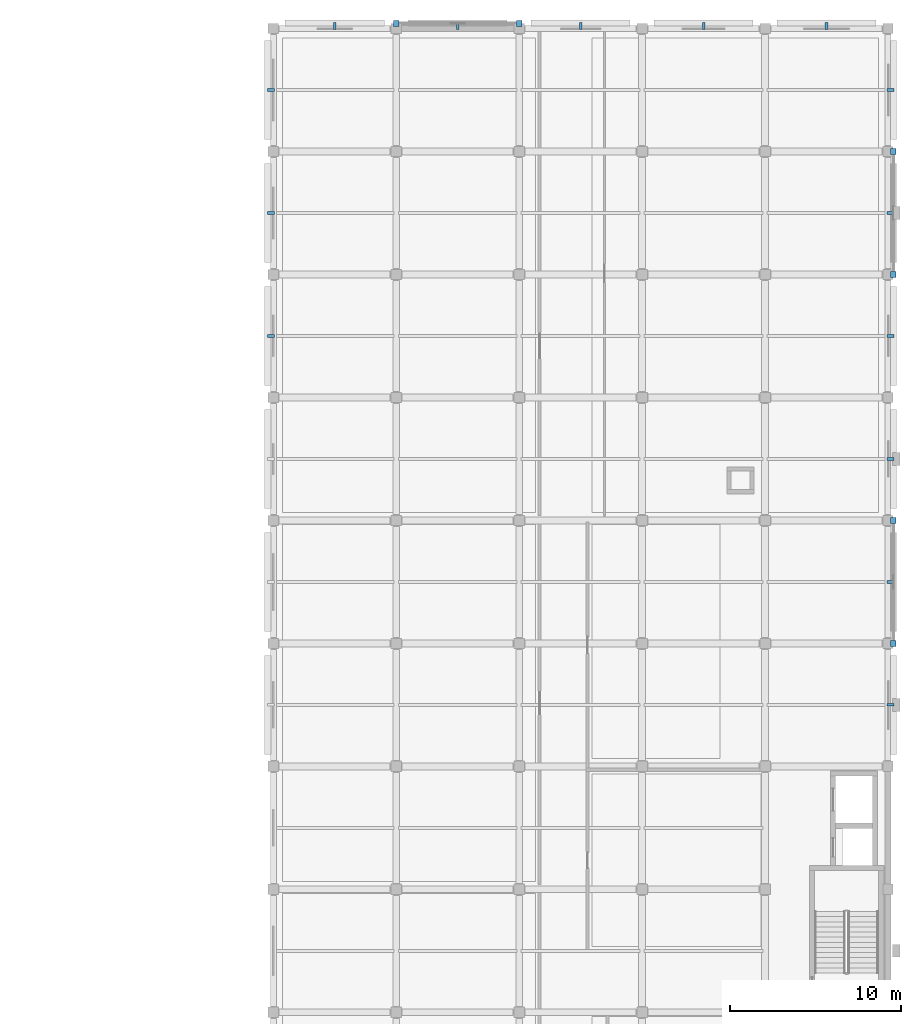
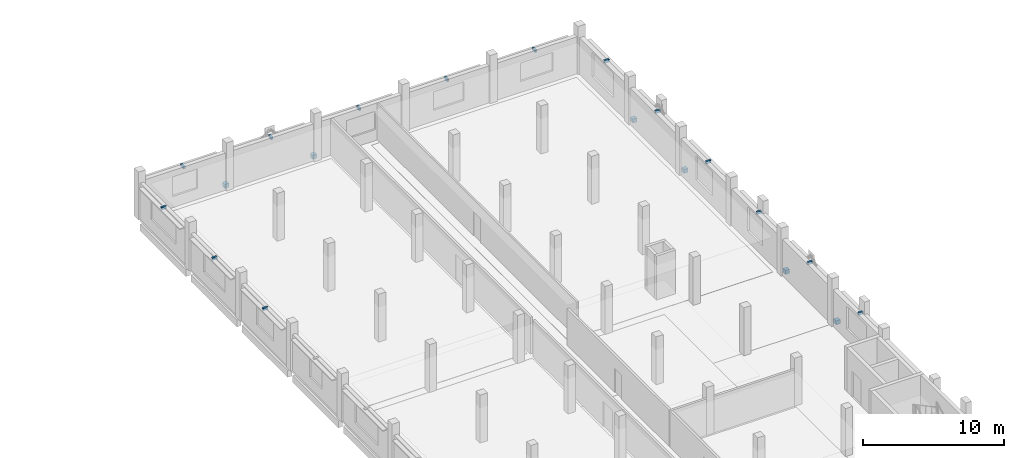
# One storey, part 54 of 62: 20 discrete accessories.
"""IFC4 building model written with IfcOpenShell, lengths in metres."""

from ifc_helpers import new_model, si_unit, direction, frame, origin, origin_2d, place, context, subcontext, project, spatial, rectangle, extrude, material, type_object, element, save


model = new_model("IFC4")

# Units and contexts
model_context = context("Model", 3, precision=1e-05, world=origin(), true_north=direction((0.0, 1.0)))
body_context = subcontext(model_context, "Body", "Model", "MODEL_VIEW")
ifc_project = project(units=[si_unit("LENGTHUNIT", "METRE"), si_unit("AREAUNIT", "SQUARE_METRE"), si_unit("VOLUMEUNIT", "CUBIC_METRE"), si_unit("PLANEANGLEUNIT", "RADIAN"), si_unit("MASSUNIT", "GRAM", prefix="KILO")], contexts=[model_context])

# Site, building, storey
site_placement = place(None, origin())
site = spatial("IfcSite", under=ifc_project, at=site_placement, CompositionType="ELEMENT")
building_placement = place(site_placement, origin())
building = spatial("IfcBuilding", under=site, at=building_placement, Name="Valkovuoma Quantum and Materials Research Institute", CompositionType="ELEMENT")
storey_placement = place(building_placement, frame((0.0, 0.0, 13.1201171875)))
storey = spatial("IfcBuildingStorey", under=building, at=storey_placement, Name="L03", CompositionType="ELEMENT", Elevation=13.1201171875)

# Discrete accessories
ifc_material_1 = material(Name="Steel S355J2", Category="steel")
discrete_accessory_type_1 = type_object("IfcDiscreteAccessoryType", Name="Brk-BRK-01", PredefinedType="BRACKET", material=ifc_material_1)
for number, where, z_axis, x_axis, name in (
    (1, (165.739990234375, 75.60009765625, 2.93994140625), (0.0, 0.0, 1.0), (1.0, 0.0, 0.0), "L03 sunshade bracket 00665"),
    (2, (165.739990234375, 82.800048828125, 2.93994140625), (0.0, 0.0, 1.0), (1.0, 0.0, 0.0), "L03 sunshade bracket 00667"),
    (3, (165.739990234375, 90.0, 2.93994140625), (0.0, 0.0, 1.0), (1.0, 0.0, 0.0), "L03 sunshade bracket 00669"),
    (4, (165.739990234375, 97.199951171875, 2.93994140625), (0.0, 0.0, 1.0), (1.0, 0.0, 0.0), "L03 sunshade bracket 00671"),
    (5, (129.4599609375, 97.199951171875, 2.93994140625), (0.0, 0.0, 1.0), (1.0, 0.0, 0.0), "L03 sunshade bracket 00672"),
    (6, (165.739990234375, 104.39990234375, 2.93994140625), (0.0, 0.0, 1.0), (1.0, 0.0, 0.0), "L03 sunshade bracket 00673"),
    (7, (129.4599609375, 104.39990234375, 2.93994140625), (0.0, 0.0, 1.0), (1.0, 0.0, 0.0), "L03 sunshade bracket 00674"),
    (8, (165.739990234375, 111.60009765625, 2.93994140625), (0.0, 0.0, 1.0), (1.0, 0.0, 0.0), "L03 sunshade bracket 00675"),
    (9, (129.4599609375, 111.60009765625, 2.93994140625), (0.0, 0.0, 1.0), (1.0, 0.0, 0.0), "L03 sunshade bracket 00676"),
):
    element("IfcDiscreteAccessory", number, at=place(storey_placement, frame(where, z_axis=z_axis, x_axis=x_axis)), inside=storey, type_object=discrete_accessory_type_1, Name=name, PredefinedType="BRACKET", context=body_context, shape_type="SweptSolid", body=[
        extrude(rectangle(XDim=0.39990234375, YDim=0.159912109375, at=origin_2d()), origin(), (0.0, 0.0, 1.0), 0.219970703125),
    ])
for number, where, z_axis, x_axis, name in (
    (10, (133.199951171875, 115.340087890625, 2.93994140625), (0.0, 0.0, 1.0), (1.0, 0.0, 0.0), "L03 north sunshade bracket 00677"),
    (11, (140.39990234375, 115.340087890625, 2.93994140625), (0.0, 0.0, 1.0), (1.0, 0.0, 0.0), "L03 north sunshade bracket 00678"),
    (12, (147.60009765625, 115.340087890625, 2.93994140625), (0.0, 0.0, 1.0), (1.0, 0.0, 0.0), "L03 north sunshade bracket 00679"),
    (13, (154.800048828125, 115.340087890625, 2.93994140625), (0.0, 0.0, 1.0), (1.0, 0.0, 0.0), "L03 north sunshade bracket 00680"),
    (14, (162.0, 115.340087890625, 2.93994140625), (0.0, 0.0, 1.0), (1.0, 0.0, 0.0), "L03 north sunshade bracket 00681"),
):
    element("IfcDiscreteAccessory", number, at=place(storey_placement, frame(where, z_axis=z_axis, x_axis=x_axis)), inside=storey, type_object=discrete_accessory_type_1, Name=name, PredefinedType="BRACKET", context=body_context, shape_type="SweptSolid", body=[
        extrude(rectangle(XDim=0.159912109375, YDim=0.39990234375, at=origin_2d()), origin(), (0.0, 0.0, 1.0), 0.219970703125),
    ])
ifc_material_2 = material(Name="Steel S355J2", Category="steel")
discrete_accessory_type_2 = type_object("IfcDiscreteAccessoryType", Name="Conn-END-01", PredefinedType="BRACKET", material=ifc_material_2)
for number, where, z_axis, x_axis, name in (
    (15, (165.89990234375, 79.199951171875, -0.0703125), (0.0, 0.0, 1.0), (1.0, 0.0, 0.0), "L03 brace end connection assembly 0294"),
    (16, (165.89990234375, 86.39990234375, -0.0703125), (0.0, 0.0, 1.0), (1.0, 0.0, 0.0), "L03 brace end connection assembly 0295"),
    (17, (165.89990234375, 100.800048828125, -0.0703125), (0.0, 0.0, 1.0), (1.0, 0.0, 0.0), "L03 brace end connection assembly 0306"),
    (18, (165.89990234375, 108.0, -0.0703125), (0.0, 0.0, 1.0), (1.0, 0.0, 0.0), "L03 brace end connection assembly 0307"),
    (19, (136.800048828125, 115.5, -0.0703125), (0.0, 0.0, 1.0), (1.0, 0.0, 0.0), "L03 brace end connection assembly 0318"),
    (20, (144.0, 115.5, -0.0703125), (0.0, 0.0, 1.0), (1.0, 0.0, 0.0), "L03 brace end connection assembly 0319"),
):
    element("IfcDiscreteAccessory", number, at=place(storey_placement, frame(where, z_axis=z_axis, x_axis=x_axis)), inside=storey, type_object=discrete_accessory_type_2, Name=name, PredefinedType="BRACKET", context=body_context, shape_type="SweptSolid", body=[
        extrude(rectangle(XDim=0.340087890625, YDim=0.340087890625, at=origin_2d()), origin(), (0.0, 0.0, 1.0), 0.340087890625),
    ])

save(model, "model.ifc")
